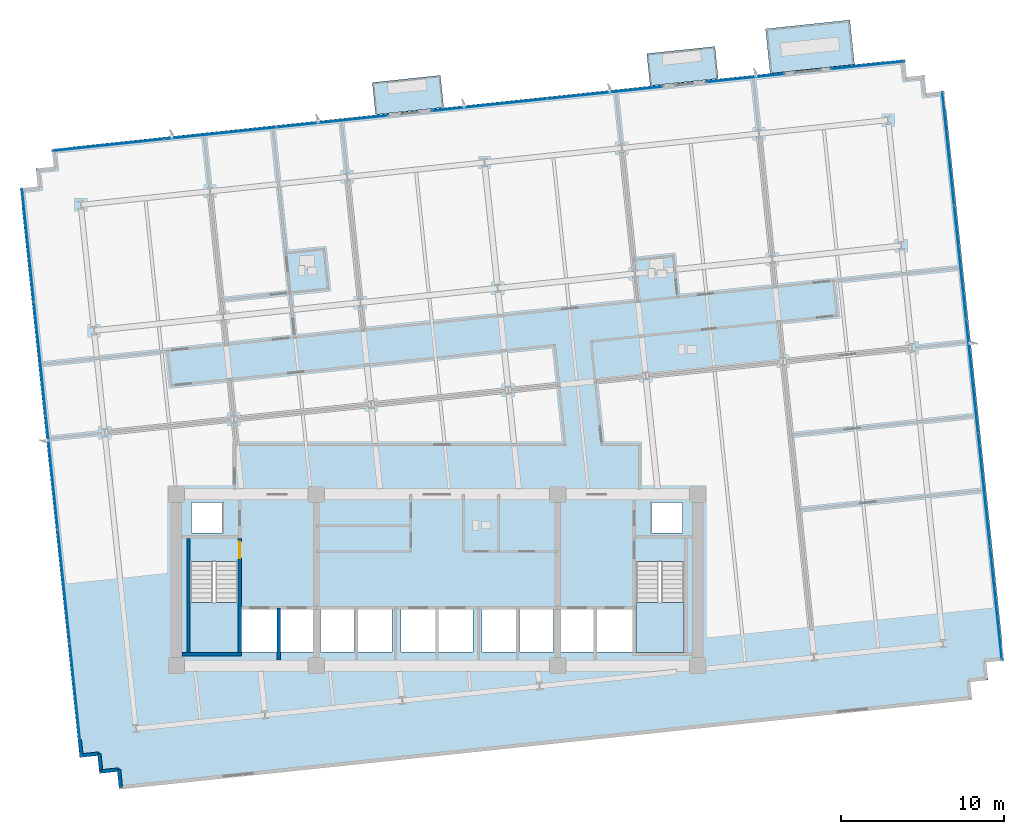
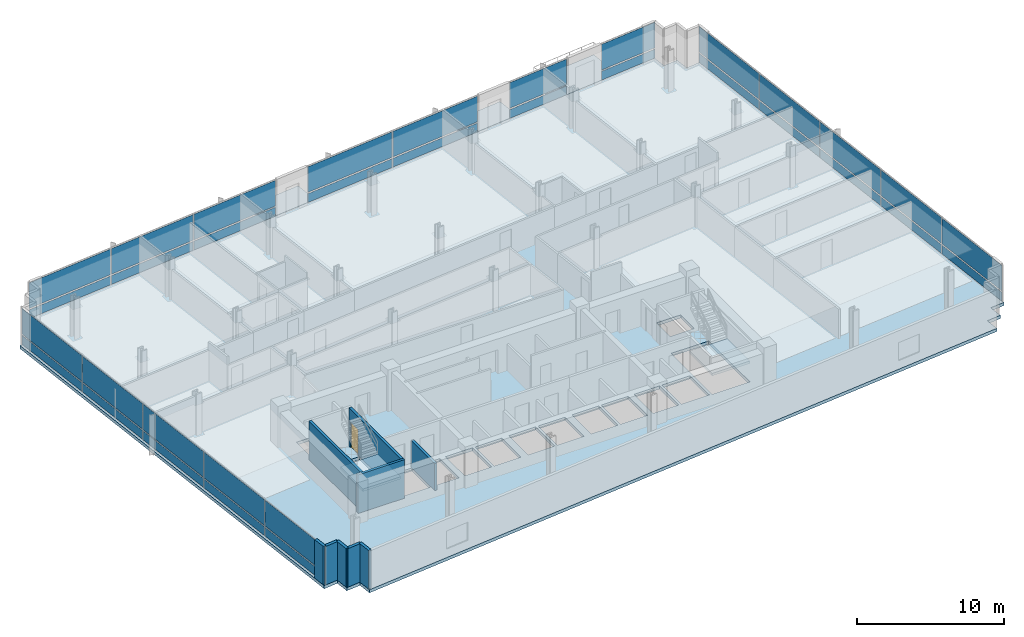
# One storey, part 12 of 21: 34 plates, 9 walls, 6 slabs, 1 door, 1 opening, 8 elements without a shape of their own.
"""IFC4 building model written with IfcOpenShell, lengths in metres."""

from ifc_helpers import new_model, si_unit, direction, frame, frame_2d, origin, origin_2d, place, context, subcontext, project, spatial, polyline, rectangle, outline, extrude, material, layer, layer_set, type_object, element, fill, aggregate, save


model = new_model("IFC4")

# Units and contexts
model_context = context("Model", 3, precision=1e-05, world=origin(), true_north=direction((0.0, 1.0)))
body_context = subcontext(model_context, "Body", "Model", "MODEL_VIEW")
ifc_project = project(units=[si_unit("LENGTHUNIT", "METRE"), si_unit("AREAUNIT", "SQUARE_METRE"), si_unit("VOLUMEUNIT", "CUBIC_METRE"), si_unit("PLANEANGLEUNIT", "RADIAN"), si_unit("MASSUNIT", "GRAM", prefix="KILO")], contexts=[model_context])

# Site, building, storey
site_placement = place(None, origin())
site = spatial("IfcSite", under=ifc_project, at=site_placement, CompositionType="ELEMENT")
building_placement = place(site_placement, origin())
building = spatial("IfcBuilding", under=site, at=building_placement, Name="Solmavex Isthmus Hotel", CompositionType="ELEMENT")
storey_placement = place(building_placement, frame((0.0, 0.0, 106.35009765625)))
storey = spatial("IfcBuildingStorey", under=building, at=storey_placement, Name="L28", CompositionType="ELEMENT", Elevation=106.35009765625)

# Curtain wall, plates
ifc_material_1 = material(Name="Aluminium alloy 6063-T6", Category="aluminium")
curtain_wall_type = type_object("IfcCurtainWallType", Name="CW-SYS-06", PredefinedType="NOTDEFINED", material=ifc_material_1)
curtain_wall_1_placement = place(storey_placement, origin())
curtain_wall_1 = element("IfcCurtainWall", 1, at=curtain_wall_1_placement, inside=storey, type_object=curtain_wall_type, Name="Stick Curtain Wall CWL-L28-N1", PredefinedType="NOTDEFINED")
ifc_material_2 = material(Name="Clear low-E laminated glass", Category="glass")
ifc_layer_1 = layer(ifc_material_2, 0.028076171875)
ifc_layer_set_1 = layer_set([ifc_layer_1], Name="Clear low-E laminated glass")
plate_type = type_object("IfcPlateType", Name="CW-SYS-06-PNL", PredefinedType="CURTAIN_PANEL", material=ifc_layer_set_1)
plate_1_placement = place(storey_placement, frame((-20.150634765625, 18.936767578125, 0.114990234375), z_axis=(0.0, 0.0, 1.0), x_axis=(0.994521910366, 0.10452832057, 0.0)))
plate_1 = element("IfcPlate", 2, at=plate_1_placement, type_object=plate_type, Name="CW-06 panel 1.1", PredefinedType="CURTAIN_PANEL", context=body_context, shape_type="SweptSolid", body=[
    extrude(rectangle(XDim=6.832275390625, YDim=0.028076171875, at=origin_2d()), origin(), (0.0, 0.0, 1.0), 0.7275390625),
])
plate_2_placement = place(storey_placement, frame((-20.150634765625, 18.936767578125, 0.95751953125), z_axis=(0.0, 0.0, 1.0), x_axis=(0.994521910366, 0.10452832057, 0.0)))
plate_2 = element("IfcPlate", 3, at=plate_2_placement, type_object=plate_type, Name="CW-06 panel 1.2", PredefinedType="CURTAIN_PANEL", context=body_context, shape_type="SweptSolid", body=[
    extrude(rectangle(XDim=6.832275390625, YDim=0.028076171875, at=origin_2d()), origin(), (0.0, 0.0, 1.0), 2.117431640625),
])
plate_3_placement = place(storey_placement, frame((-13.28125, 19.65869140625, 0.114990234375), z_axis=(0.0, 0.0, 1.0), x_axis=(0.994521910366, 0.10452832057, 0.0)))
plate_3 = element("IfcPlate", 4, at=plate_3_placement, type_object=plate_type, Name="CW-06 panel 2.1", PredefinedType="CURTAIN_PANEL", context=body_context, shape_type="SweptSolid", body=[
    extrude(rectangle(XDim=6.8623046875, YDim=0.028076171875, at=origin_2d()), origin(), (0.0, 0.0, 1.0), 0.7275390625),
])
plate_4_placement = place(storey_placement, frame((-13.28125, 19.65869140625, 0.95751953125), z_axis=(0.0, 0.0, 1.0), x_axis=(0.994521910366, 0.10452832057, 0.0)))
plate_4 = element("IfcPlate", 5, at=plate_4_placement, type_object=plate_type, Name="CW-06 panel 2.2", PredefinedType="CURTAIN_PANEL", context=body_context, shape_type="SweptSolid", body=[
    extrude(rectangle(XDim=6.8623046875, YDim=0.028076171875, at=origin_2d()), origin(), (0.0, 0.0, 1.0), 2.117431640625),
])
plate_5_placement = place(storey_placement, frame((-6.41162109375, 20.380859375, 0.114990234375), z_axis=(0.0, 0.0, 1.0), x_axis=(0.994521910366, 0.10452832057, 0.0)))
plate_5 = element("IfcPlate", 6, at=plate_5_placement, type_object=plate_type, Name="CW-06 panel 3.1", PredefinedType="CURTAIN_PANEL", context=body_context, shape_type="SweptSolid", body=[
    extrude(rectangle(XDim=6.832275390625, YDim=0.028076171875, at=origin_2d()), origin(), (0.0, 0.0, 1.0), 0.7275390625),
])
plate_6_placement = place(storey_placement, frame((-6.41162109375, 20.380859375, 0.95751953125), z_axis=(0.0, 0.0, 1.0), x_axis=(0.994521910366, 0.10452832057, 0.0)))
plate_6 = element("IfcPlate", 7, at=plate_6_placement, type_object=plate_type, Name="CW-06 panel 3.2", PredefinedType="CURTAIN_PANEL", context=body_context, shape_type="SweptSolid", body=[
    extrude(rectangle(XDim=6.832275390625, YDim=0.028076171875, at=origin_2d()), origin(), (0.0, 0.0, 1.0), 2.117431640625),
])
aggregate(curtain_wall_1, [plate_1, plate_2, plate_3, plate_4, plate_5, plate_6])

curtain_wall_2_placement = place(storey_placement, origin())
curtain_wall_2 = element("IfcCurtainWall", 8, at=curtain_wall_2_placement, inside=storey, type_object=curtain_wall_type, Name="Stick Curtain Wall CWL-L28-N2", PredefinedType="NOTDEFINED")
plate_7_placement = place(storey_placement, frame((3.20947265625, 21.39208984375, 0.114990234375), z_axis=(0.0, 0.0, 1.0), x_axis=(0.994521838546, 0.10452900389, 0.0)))
plate_7 = element("IfcPlate", 9, at=plate_7_placement, type_object=plate_type, Name="CW-06 panel 1.1", PredefinedType="CURTAIN_PANEL", context=body_context, shape_type="SweptSolid", body=[
    extrude(rectangle(XDim=7.075927734375, YDim=0.028076171875, at=origin_2d()), origin(), (0.0, 0.0, 1.0), 0.7275390625),
])
plate_8_placement = place(storey_placement, frame((3.20947265625, 21.39208984375, 0.95751953125), z_axis=(0.0, 0.0, 1.0), x_axis=(0.994521838546, 0.10452900389, 0.0)))
plate_8 = element("IfcPlate", 10, at=plate_8_placement, type_object=plate_type, Name="CW-06 panel 1.2", PredefinedType="CURTAIN_PANEL", context=body_context, shape_type="SweptSolid", body=[
    extrude(rectangle(XDim=7.075927734375, YDim=0.028076171875, at=origin_2d()), origin(), (0.0, 0.0, 1.0), 2.117431640625),
])
plate_9_placement = place(storey_placement, frame((10.306396484375, 22.137939453125, 0.114990234375), z_axis=(0.0, 0.0, 1.0), x_axis=(0.994521838546, 0.10452900389, 0.0)))
plate_9 = element("IfcPlate", 11, at=plate_9_placement, type_object=plate_type, Name="CW-06 panel 2.1", PredefinedType="CURTAIN_PANEL", context=body_context, shape_type="SweptSolid", body=[
    extrude(rectangle(XDim=7.075927734375, YDim=0.028076171875, at=origin_2d()), origin(), (0.0, 0.0, 1.0), 0.7275390625),
])
plate_10_placement = place(storey_placement, frame((10.306396484375, 22.137939453125, 0.95751953125), z_axis=(0.0, 0.0, 1.0), x_axis=(0.994521838546, 0.10452900389, 0.0)))
plate_10 = element("IfcPlate", 12, at=plate_10_placement, type_object=plate_type, Name="CW-06 panel 2.2", PredefinedType="CURTAIN_PANEL", context=body_context, shape_type="SweptSolid", body=[
    extrude(rectangle(XDim=7.075927734375, YDim=0.028076171875, at=origin_2d()), origin(), (0.0, 0.0, 1.0), 2.117431640625),
])
aggregate(curtain_wall_2, [plate_7, plate_8, plate_9, plate_10])

curtain_wall_3_placement = place(storey_placement, origin())
curtain_wall_3 = element("IfcCurtainWall", 13, at=curtain_wall_3_placement, inside=storey, type_object=curtain_wall_type, Name="Stick Curtain Wall CWL-L28-N3", PredefinedType="NOTDEFINED")
plate_11_placement = place(storey_placement, frame((18.907470703125, 23.0419921875, 0.114990234375), z_axis=(0.0, 0.0, 1.0), x_axis=(0.994521976147, 0.104527694704, 0.0)))
plate_11 = element("IfcPlate", 14, at=plate_11_placement, type_object=plate_type, Name="CW-06 panel 1.1", PredefinedType="CURTAIN_PANEL", context=body_context, shape_type="SweptSolid", body=[
    extrude(rectangle(XDim=4.781005859375, YDim=0.028076171875, at=origin_2d()), origin(), (0.0, 0.0, 1.0), 0.7275390625),
])
plate_12_placement = place(storey_placement, frame((18.907470703125, 23.0419921875, 0.95751953125), z_axis=(0.0, 0.0, 1.0), x_axis=(0.994521976147, 0.104527694704, 0.0)))
plate_12 = element("IfcPlate", 15, at=plate_12_placement, type_object=plate_type, Name="CW-06 panel 1.2", PredefinedType="CURTAIN_PANEL", context=body_context, shape_type="SweptSolid", body=[
    extrude(rectangle(XDim=4.781005859375, YDim=0.028076171875, at=origin_2d()), origin(), (0.0, 0.0, 1.0), 2.117431640625),
])
aggregate(curtain_wall_3, [plate_11, plate_12])

curtain_wall_4_placement = place(storey_placement, origin())
curtain_wall_4 = element("IfcCurtainWall", 16, at=curtain_wall_4_placement, inside=storey, type_object=curtain_wall_type, Name="Stick Curtain Wall CWL-L28-N4", PredefinedType="NOTDEFINED")
plate_13_placement = place(storey_placement, frame((26.416748046875, 23.8310546875, 0.114990234375), z_axis=(0.0, 0.0, 1.0), x_axis=(0.994521914701, 0.104528279328, 0.0)))
plate_13 = element("IfcPlate", 17, at=plate_13_placement, type_object=plate_type, Name="CW-06 panel 1.1", PredefinedType="CURTAIN_PANEL", context=body_context, shape_type="SweptSolid", body=[
    extrude(rectangle(XDim=4.47998046875, YDim=0.028076171875, at=origin_2d()), origin(), (0.0, 0.0, 1.0), 0.7275390625),
])
plate_14_placement = place(storey_placement, frame((26.416748046875, 23.8310546875, 0.95751953125), z_axis=(0.0, 0.0, 1.0), x_axis=(0.994521914701, 0.104528279328, 0.0)))
plate_14 = element("IfcPlate", 18, at=plate_14_placement, type_object=plate_type, Name="CW-06 panel 1.2", PredefinedType="CURTAIN_PANEL", context=body_context, shape_type="SweptSolid", body=[
    extrude(rectangle(XDim=4.47998046875, YDim=0.028076171875, at=origin_2d()), origin(), (0.0, 0.0, 1.0), 2.117431640625),
])
aggregate(curtain_wall_4, [plate_13, plate_14])

curtain_wall_5_placement = place(storey_placement, origin())
curtain_wall_5 = element("IfcCurtainWall", 19, at=curtain_wall_5_placement, inside=storey, type_object=curtain_wall_type, Name="Stick Curtain Wall CWL-L28-W1", PredefinedType="NOTDEFINED")
plate_15_placement = place(storey_placement, frame((-22.158447265625, -15.11474609375, 0.114990234375), z_axis=(0.0, 0.0, 1.0), x_axis=(-0.104528485381, 0.994521893044, 0.0)))
plate_15 = element("IfcPlate", 20, at=plate_15_placement, type_object=plate_type, Name="CW-06 panel 1.1", PredefinedType="CURTAIN_PANEL", context=body_context, shape_type="SweptSolid", body=[
    extrude(rectangle(XDim=6.929931640625, YDim=0.028076171875, at=origin_2d()), origin(), (0.0, 0.0, 1.0), 0.7275390625),
])
plate_16_placement = place(storey_placement, frame((-22.158447265625, -15.11474609375, 0.95751953125), z_axis=(0.0, 0.0, 1.0), x_axis=(-0.104528485381, 0.994521893044, 0.0)))
plate_16 = element("IfcPlate", 21, at=plate_16_placement, type_object=plate_type, Name="CW-06 panel 1.2", PredefinedType="CURTAIN_PANEL", context=body_context, shape_type="SweptSolid", body=[
    extrude(rectangle(XDim=6.929931640625, YDim=0.028076171875, at=origin_2d()), origin(), (0.0, 0.0, 1.0), 2.117431640625),
])
plate_17_placement = place(storey_placement, frame((-22.890625, -8.14794921875, 0.114990234375), z_axis=(0.0, 0.0, 1.0), x_axis=(-0.104528485381, 0.994521893044, 0.0)))
plate_17 = element("IfcPlate", 22, at=plate_17_placement, type_object=plate_type, Name="CW-06 panel 2.1", PredefinedType="CURTAIN_PANEL", context=body_context, shape_type="SweptSolid", body=[
    extrude(rectangle(XDim=6.9599609375, YDim=0.028076171875, at=origin_2d()), origin(), (0.0, 0.0, 1.0), 0.7275390625),
])
plate_18_placement = place(storey_placement, frame((-22.890625, -8.14794921875, 0.95751953125), z_axis=(0.0, 0.0, 1.0), x_axis=(-0.104528485381, 0.994521893044, 0.0)))
plate_18 = element("IfcPlate", 23, at=plate_18_placement, type_object=plate_type, Name="CW-06 panel 2.2", PredefinedType="CURTAIN_PANEL", context=body_context, shape_type="SweptSolid", body=[
    extrude(rectangle(XDim=6.9599609375, YDim=0.028076171875, at=origin_2d()), origin(), (0.0, 0.0, 1.0), 2.117431640625),
])
plate_19_placement = place(storey_placement, frame((-23.62451171875, -1.16650390625, 0.114990234375), z_axis=(0.0, 0.0, 1.0), x_axis=(-0.104528485381, 0.994521893044, 0.0)))
plate_19 = element("IfcPlate", 24, at=plate_19_placement, type_object=plate_type, Name="CW-06 panel 3.1", PredefinedType="CURTAIN_PANEL", context=body_context, shape_type="SweptSolid", body=[
    extrude(rectangle(XDim=6.9599609375, YDim=0.028076171875, at=origin_2d()), origin(), (0.0, 0.0, 1.0), 0.7275390625),
])
plate_20_placement = place(storey_placement, frame((-23.62451171875, -1.16650390625, 0.95751953125), z_axis=(0.0, 0.0, 1.0), x_axis=(-0.104528485381, 0.994521893044, 0.0)))
plate_20 = element("IfcPlate", 25, at=plate_20_placement, type_object=plate_type, Name="CW-06 panel 3.2", PredefinedType="CURTAIN_PANEL", context=body_context, shape_type="SweptSolid", body=[
    extrude(rectangle(XDim=6.9599609375, YDim=0.028076171875, at=origin_2d()), origin(), (0.0, 0.0, 1.0), 2.117431640625),
])
plate_21_placement = place(storey_placement, frame((-24.3583984375, 5.81494140625, 0.114990234375), z_axis=(0.0, 0.0, 1.0), x_axis=(-0.104528485381, 0.994521893044, 0.0)))
plate_21 = element("IfcPlate", 26, at=plate_21_placement, type_object=plate_type, Name="CW-06 panel 4.1", PredefinedType="CURTAIN_PANEL", context=body_context, shape_type="SweptSolid", body=[
    extrude(rectangle(XDim=6.9599609375, YDim=0.028076171875, at=origin_2d()), origin(), (0.0, 0.0, 1.0), 0.7275390625),
])
plate_22_placement = place(storey_placement, frame((-24.3583984375, 5.81494140625, 0.95751953125), z_axis=(0.0, 0.0, 1.0), x_axis=(-0.104528485381, 0.994521893044, 0.0)))
plate_22 = element("IfcPlate", 27, at=plate_22_placement, type_object=plate_type, Name="CW-06 panel 4.2", PredefinedType="CURTAIN_PANEL", context=body_context, shape_type="SweptSolid", body=[
    extrude(rectangle(XDim=6.9599609375, YDim=0.028076171875, at=origin_2d()), origin(), (0.0, 0.0, 1.0), 2.117431640625),
])
plate_23_placement = place(storey_placement, frame((-25.090576171875, 12.78173828125, 0.114990234375), z_axis=(0.0, 0.0, 1.0), x_axis=(-0.104528485381, 0.994521893044, 0.0)))
plate_23 = element("IfcPlate", 28, at=plate_23_placement, type_object=plate_type, Name="CW-06 panel 5.1", PredefinedType="CURTAIN_PANEL", context=body_context, shape_type="SweptSolid", body=[
    extrude(rectangle(XDim=6.929931640625, YDim=0.028076171875, at=origin_2d()), origin(), (0.0, 0.0, 1.0), 0.7275390625),
])
plate_24_placement = place(storey_placement, frame((-25.090576171875, 12.78173828125, 0.95751953125), z_axis=(0.0, 0.0, 1.0), x_axis=(-0.104528485381, 0.994521893044, 0.0)))
plate_24 = element("IfcPlate", 29, at=plate_24_placement, type_object=plate_type, Name="CW-06 panel 5.2", PredefinedType="CURTAIN_PANEL", context=body_context, shape_type="SweptSolid", body=[
    extrude(rectangle(XDim=6.929931640625, YDim=0.028076171875, at=origin_2d()), origin(), (0.0, 0.0, 1.0), 2.117431640625),
])
aggregate(curtain_wall_5, [plate_15, plate_16, plate_17, plate_18, plate_19, plate_20, plate_21, plate_22, plate_23, plate_24])

curtain_wall_6_placement = place(storey_placement, origin())
curtain_wall_6 = element("IfcCurtainWall", 30, at=curtain_wall_6_placement, inside=storey, type_object=curtain_wall_type, Name="Stick Curtain Wall CWL-L28-E1", PredefinedType="NOTDEFINED")
plate_25_placement = place(storey_placement, frame((34.29052734375, -9.181640625, 0.114990234375), z_axis=(0.0, 0.0, 1.0), x_axis=(-0.104528485381, 0.994521893044, 0.0)))
plate_25 = element("IfcPlate", 31, at=plate_25_placement, type_object=plate_type, Name="CW-06 panel 1.1", PredefinedType="CURTAIN_PANEL", context=body_context, shape_type="SweptSolid", body=[
    extrude(rectangle(XDim=6.929931640625, YDim=0.028076171875, at=origin_2d()), origin(), (0.0, 0.0, 1.0), 0.7275390625),
])
plate_26_placement = place(storey_placement, frame((34.29052734375, -9.181640625, 0.95751953125), z_axis=(0.0, 0.0, 1.0), x_axis=(-0.104528485381, 0.994521893044, 0.0)))
plate_26 = element("IfcPlate", 32, at=plate_26_placement, type_object=plate_type, Name="CW-06 panel 1.2", PredefinedType="CURTAIN_PANEL", context=body_context, shape_type="SweptSolid", body=[
    extrude(rectangle(XDim=6.929931640625, YDim=0.028076171875, at=origin_2d()), origin(), (0.0, 0.0, 1.0), 2.117431640625),
])
plate_27_placement = place(storey_placement, frame((33.558349609375, -2.215087890625, 0.114990234375), z_axis=(0.0, 0.0, 1.0), x_axis=(-0.104528485381, 0.994521893044, 0.0)))
plate_27 = element("IfcPlate", 33, at=plate_27_placement, type_object=plate_type, Name="CW-06 panel 2.1", PredefinedType="CURTAIN_PANEL", context=body_context, shape_type="SweptSolid", body=[
    extrude(rectangle(XDim=6.9599609375, YDim=0.028076171875, at=origin_2d()), origin(), (0.0, 0.0, 1.0), 0.7275390625),
])
plate_28_placement = place(storey_placement, frame((33.558349609375, -2.215087890625, 0.95751953125), z_axis=(0.0, 0.0, 1.0), x_axis=(-0.104528485381, 0.994521893044, 0.0)))
plate_28 = element("IfcPlate", 34, at=plate_28_placement, type_object=plate_type, Name="CW-06 panel 2.2", PredefinedType="CURTAIN_PANEL", context=body_context, shape_type="SweptSolid", body=[
    extrude(rectangle(XDim=6.9599609375, YDim=0.028076171875, at=origin_2d()), origin(), (0.0, 0.0, 1.0), 2.117431640625),
])
plate_29_placement = place(storey_placement, frame((32.824462890625, 4.7666015625, 0.114990234375), z_axis=(0.0, 0.0, 1.0), x_axis=(-0.104528485381, 0.994521893044, 0.0)))
plate_29 = element("IfcPlate", 35, at=plate_29_placement, type_object=plate_type, Name="CW-06 panel 3.1", PredefinedType="CURTAIN_PANEL", context=body_context, shape_type="SweptSolid", body=[
    extrude(rectangle(XDim=6.9599609375, YDim=0.028076171875, at=origin_2d()), origin(), (0.0, 0.0, 1.0), 0.7275390625),
])
plate_30_placement = place(storey_placement, frame((32.824462890625, 4.7666015625, 0.95751953125), z_axis=(0.0, 0.0, 1.0), x_axis=(-0.104528485381, 0.994521893044, 0.0)))
plate_30 = element("IfcPlate", 36, at=plate_30_placement, type_object=plate_type, Name="CW-06 panel 3.2", PredefinedType="CURTAIN_PANEL", context=body_context, shape_type="SweptSolid", body=[
    extrude(rectangle(XDim=6.9599609375, YDim=0.028076171875, at=origin_2d()), origin(), (0.0, 0.0, 1.0), 2.117431640625),
])
plate_31_placement = place(storey_placement, frame((32.0908203125, 11.748046875, 0.114990234375), z_axis=(0.0, 0.0, 1.0), x_axis=(-0.104528485381, 0.994521893044, 0.0)))
plate_31 = element("IfcPlate", 37, at=plate_31_placement, type_object=plate_type, Name="CW-06 panel 4.1", PredefinedType="CURTAIN_PANEL", context=body_context, shape_type="SweptSolid", body=[
    extrude(rectangle(XDim=6.9599609375, YDim=0.028076171875, at=origin_2d()), origin(), (0.0, 0.0, 1.0), 0.7275390625),
])
plate_32_placement = place(storey_placement, frame((32.0908203125, 11.748046875, 0.95751953125), z_axis=(0.0, 0.0, 1.0), x_axis=(-0.104528485381, 0.994521893044, 0.0)))
plate_32 = element("IfcPlate", 38, at=plate_32_placement, type_object=plate_type, Name="CW-06 panel 4.2", PredefinedType="CURTAIN_PANEL", context=body_context, shape_type="SweptSolid", body=[
    extrude(rectangle(XDim=6.9599609375, YDim=0.028076171875, at=origin_2d()), origin(), (0.0, 0.0, 1.0), 2.117431640625),
])
plate_33_placement = place(storey_placement, frame((31.358642578125, 18.714599609375, 0.114990234375), z_axis=(0.0, 0.0, 1.0), x_axis=(-0.104528485381, 0.994521893044, 0.0)))
plate_33 = element("IfcPlate", 39, at=plate_33_placement, type_object=plate_type, Name="CW-06 panel 5.1", PredefinedType="CURTAIN_PANEL", context=body_context, shape_type="SweptSolid", body=[
    extrude(rectangle(XDim=6.929931640625, YDim=0.028076171875, at=origin_2d()), origin(), (0.0, 0.0, 1.0), 0.7275390625),
])
plate_34_placement = place(storey_placement, frame((31.358642578125, 18.714599609375, 0.95751953125), z_axis=(0.0, 0.0, 1.0), x_axis=(-0.104528485381, 0.994521893044, 0.0)))
plate_34 = element("IfcPlate", 40, at=plate_34_placement, type_object=plate_type, Name="CW-06 panel 5.2", PredefinedType="CURTAIN_PANEL", context=body_context, shape_type="SweptSolid", body=[
    extrude(rectangle(XDim=6.929931640625, YDim=0.028076171875, at=origin_2d()), origin(), (0.0, 0.0, 1.0), 2.117431640625),
])
aggregate(curtain_wall_6, [plate_25, plate_26, plate_27, plate_28, plate_29, plate_30, plate_31, plate_32, plate_33, plate_34])

# Slabs
ifc_material_3 = material(Name="Concrete C40/50", Category="concrete")
ifc_layer_2 = layer(ifc_material_3, 0.239990234375)
ifc_layer_set_2 = layer_set([ifc_layer_2], Name="Concrete C40/50")
slab_type_1 = type_object("IfcSlabType", Name="SLAB-BALC-240", PredefinedType="FLOOR", material=ifc_layer_set_2)
slab_1_placement = place(storey_placement, frame((0.0, 0.0, -0.239990234375)))
element("IfcSlab", 41, at=slab_1_placement, inside=storey, type_object=slab_type_1, Name="Tree-Planter Balcony Slab L28-B1", PredefinedType="FLOOR", context=body_context, shape_type="SweptSolid", body=[
    extrude(outline(polyline([(-3.764404296875, 20.794677734375), (0.41259765625, 21.23388671875), (0.205078125, 23.2080078125), (-3.9716796875, 22.768798828125), (-3.764404296875, 20.794677734375)])), origin(), (0.0, 0.0, 1.0), 0.239990234375),
])
slab_2_placement = place(storey_placement, frame((0.0, 0.0, -0.239990234375)))
element("IfcSlab", 42, at=slab_2_placement, inside=storey, type_object=slab_type_1, Name="Tree-Planter Balcony Slab L28-B2", PredefinedType="FLOOR", context=body_context, shape_type="SweptSolid", body=[
    extrude(outline(polyline([(13.074951171875, 22.564697265625), (17.251953125, 23.003662109375), (17.04443359375, 24.977783203125), (12.867431640625, 24.538818359375), (13.074951171875, 22.564697265625)])), origin(), (0.0, 0.0, 1.0), 0.239990234375),
])
ifc_layer_3 = layer(ifc_material_3, 0.260009765625)
ifc_layer_set_3 = layer_set([ifc_layer_3], Name="Concrete C40/50")
slab_type_2 = type_object("IfcSlabType", Name="SLAB-SG-260", PredefinedType="FLOOR", material=ifc_layer_set_3)
slab_3_placement = place(storey_placement, frame((0.0, 0.0, -0.260009765625)))
element("IfcSlab", 43, at=slab_3_placement, inside=storey, type_object=slab_type_2, Name="Sky Garden Terrace Slab SG2 L28", PredefinedType="FLOOR", context=body_context, shape_type="SweptSolid", body=[
    extrude(outline(polyline([(20.436767578125, 23.32421875), (25.6083984375, 23.867919921875), (25.321044921875, 26.601806640625), (20.1494140625, 26.058349609375), (20.436767578125, 23.32421875)])), origin(), (0.0, 0.0, 1.0), 0.260009765625),
])
ifc_layer_4 = layer(ifc_material_3, 0.260009765625)
ifc_layer_set_4 = layer_set([ifc_layer_4], Name="Concrete C40/50")
slab_type_3 = type_object("IfcSlabType", Name="SLAB-TYP-260", PredefinedType="FLOOR", material=ifc_layer_set_4)
slab_4_placement = place(storey_placement, frame((0.0, 0.0, -0.260009765625)))
element("IfcSlab", 44, at=slab_4_placement, inside=storey, type_object=slab_type_3, Name="Tower Structural Floor Slab L28", PredefinedType="FLOOR", context=body_context, shape_type="SweptSolid", body=[
    extrude(outline(polyline([(-18.3974609375, -20.475830078125), (31.726318359375, -15.207763671875), (32.8203125, -15.0927734375), (32.705322265625, -13.998779296875), (33.79931640625, -13.8837890625), (33.684326171875, -12.789794921875), (34.7783203125, -12.6748046875), (34.663330078125, -11.580810546875), (31.224365234375, 21.138916015625), (31.109375, 22.23291015625), (30.015380859375, 22.117919921875), (29.900390625, 23.2119140625), (28.806396484375, 23.096923828125), (28.69140625, 24.19091796875), (27.597412109375, 24.075927734375), (-22.5263671875, 18.8076171875), (-23.620361328125, 18.692626953125), (-23.50537109375, 17.5986328125), (-24.599365234375, 17.483642578125), (-24.484375, 16.389892578125), (-25.578369140625, 16.27490234375), (-25.46337890625, 15.180908203125), (-22.0244140625, -17.5390625), (-21.909423828125, -18.6328125), (-20.8154296875, -18.517822265625), (-20.700439453125, -19.61181640625), (-19.6064453125, -19.496826171875), (-19.491455078125, -20.5908203125), (-18.3974609375, -20.475830078125)]), holes=[polyline([(-15.14990234375, -6.617919921875), (-15.14990234375, -12.199951171875), (-12.199951171875, -12.199951171875), (-12.199951171875, -6.617919921875), (-15.14990234375, -6.617919921875)]), polyline([(12.199951171875, -6.617919921875), (12.199951171875, -12.199951171875), (15.14990234375, -12.199951171875), (15.14990234375, -6.617919921875), (12.199951171875, -6.617919921875)]), polyline([(-12.0, -12.14990234375), (-9.800048828125, -12.14990234375), (-9.800048828125, -9.550048828125), (-12.0, -9.550048828125), (-12.0, -12.14990234375)]), polyline([(9.800048828125, -12.14990234375), (12.0, -12.14990234375), (12.0, -9.550048828125), (9.800048828125, -9.550048828125), (9.800048828125, -12.14990234375)]), polyline([(-9.60009765625, -12.14990234375), (-7.60009765625, -12.14990234375), (-7.60009765625, -9.550048828125), (-9.60009765625, -9.550048828125), (-9.60009765625, -12.14990234375)]), polyline([(7.60009765625, -12.14990234375), (9.60009765625, -12.14990234375), (9.60009765625, -9.550048828125), (7.60009765625, -9.550048828125), (7.60009765625, -12.14990234375)]), polyline([(-7.14990234375, -12.14990234375), (-5.050048828125, -12.14990234375), (-5.050048828125, -9.550048828125), (-7.14990234375, -9.550048828125), (-7.14990234375, -12.14990234375)]), polyline([(-4.85009765625, -12.14990234375), (-2.75, -12.14990234375), (-2.75, -9.550048828125), (-4.85009765625, -9.550048828125), (-4.85009765625, -12.14990234375)]), polyline([(-2.199951171875, -12.14990234375), (-0.10009765625, -12.14990234375), (-0.10009765625, -9.550048828125), (-2.199951171875, -9.550048828125), (-2.199951171875, -12.14990234375)]), polyline([(0.10009765625, -12.14990234375), (2.199951171875, -12.14990234375), (2.199951171875, -9.550048828125), (0.10009765625, -9.550048828125), (0.10009765625, -12.14990234375)]), polyline([(2.75, -12.14990234375), (4.85009765625, -12.14990234375), (4.85009765625, -9.550048828125), (2.75, -9.550048828125), (2.75, -12.14990234375)]), polyline([(5.050048828125, -12.14990234375), (7.14990234375, -12.14990234375), (7.14990234375, -9.550048828125), (5.050048828125, -9.550048828125), (5.050048828125, -12.14990234375)]), polyline([(-15.050048828125, -4.85009765625), (-13.14990234375, -4.85009765625), (-13.14990234375, -3.0), (-15.050048828125, -3.0), (-15.050048828125, -4.85009765625)]), polyline([(13.14990234375, -4.85009765625), (15.050048828125, -4.85009765625), (15.050048828125, -3.0), (13.14990234375, -3.0), (13.14990234375, -4.85009765625)])]), origin(), (0.0, 0.0, 1.0), 0.260009765625),
])

# Stair, slab
stair_type_1 = type_object("IfcStairType", Name="STR-ST-1", PredefinedType="HALF_TURN_STAIR", material=ifc_material_3)
stair_1_placement = place(storey_placement, origin())
stair_1 = element("IfcStair", 45, at=stair_1_placement, inside=storey, type_object=stair_type_1, Name="L28 Protected Exit Stair ST-1", PredefinedType="HALF_TURN_STAIR")
ifc_layer_5 = layer(ifc_material_3, 0.219970703125)
ifc_layer_set_5 = layer_set([ifc_layer_5], Name="Concrete C40/50")
slab_type_4 = type_object("IfcSlabType", Name="SLD-ST-1", PredefinedType="LANDING", material=ifc_layer_set_5)
slab_5_placement = place(storey_placement, frame((0.0, 0.0, 1.52490234375)))
slab_5 = element("IfcSlab", 46, at=slab_5_placement, type_object=slab_type_4, Name="ST-1 landing 1", PredefinedType="LANDING", context=body_context, shape_type="SweptSolid", body=[
    extrude(outline(polyline([(-15.14990234375, -9.1201171875), (-15.14990234375, -12.199951171875), (-12.199951171875, -12.199951171875), (-12.199951171875, -9.1201171875), (-15.14990234375, -9.1201171875)])), origin(), (0.0, 0.0, 1.0), 0.199951171875),
])
aggregate(stair_1, [slab_5])

stair_type_2 = type_object("IfcStairType", Name="STR-ST-2", PredefinedType="HALF_TURN_STAIR", material=ifc_material_3)
stair_2_placement = place(storey_placement, origin())
stair_2 = element("IfcStair", 47, at=stair_2_placement, inside=storey, type_object=stair_type_2, Name="L28 Protected Exit Stair ST-2", PredefinedType="HALF_TURN_STAIR")
ifc_layer_6 = layer(ifc_material_3, 0.219970703125)
ifc_layer_set_6 = layer_set([ifc_layer_6], Name="Concrete C40/50")
slab_type_5 = type_object("IfcSlabType", Name="SLD-ST-2", PredefinedType="LANDING", material=ifc_layer_set_6)
slab_6_placement = place(storey_placement, frame((0.0, 0.0, 1.52490234375)))
slab_6 = element("IfcSlab", 48, at=slab_6_placement, type_object=slab_type_5, Name="ST-2 landing 1", PredefinedType="LANDING", context=body_context, shape_type="SweptSolid", body=[
    extrude(outline(polyline([(12.199951171875, -9.1201171875), (12.199951171875, -12.199951171875), (15.14990234375, -12.199951171875), (15.14990234375, -9.1201171875), (12.199951171875, -9.1201171875)])), origin(), (0.0, 0.0, 1.0), 0.199951171875),
])
aggregate(stair_2, [slab_6])

# Walls
ifc_material_4 = material(Name="Precast Concrete C40/50", Category="concrete")
ifc_layer_7 = layer(ifc_material_4, 0.25)
ifc_layer_set_7 = layer_set([ifc_layer_7], Name="Precast Concrete C40/50")
wall_type_1 = type_object("IfcWallType", Name="EW-TWR-250", PredefinedType="STANDARD", material=ifc_layer_set_7)
for number, where, z_axis, x_axis, name in (
    (49, (-19.3935546875, -20.469970703125, 0.0), (0.0, 0.0, 1.0), (-0.104534592565, 0.994521251134, 0.0), "Serrated Corner Facade Panel L28-01"),
    (50, (-19.508544921875, -19.3759765625, 0.0), (0.0, 0.0, 1.0), (-0.994521251134, -0.104534592565, 0.0), "Serrated Corner Facade Panel L28-02"),
    (51, (-20.6025390625, -19.490966796875, 0.0), (0.0, 0.0, 1.0), (-0.104534592565, 0.994521251134, 0.0), "Serrated Corner Facade Panel L28-03"),
    (52, (-20.717529296875, -18.39697265625, 0.0), (0.0, 0.0, 1.0), (-0.994521251134, -0.104534592565, 0.0), "Serrated Corner Facade Panel L28-04"),
):
    element("IfcWall", number, at=place(storey_placement, frame(where, z_axis=z_axis, x_axis=x_axis)), inside=storey, type_object=wall_type_1, Name=name, PredefinedType="STANDARD", context=body_context, shape_type="SweptSolid", body=[
        extrude(rectangle(XDim=1.10009765625, YDim=0.219970703125, at=frame_2d((0.550048828125, 0.0))), origin(), (0.0, 0.0, 1.0), 3.18994140625),
    ])
wall_1_placement = place(storey_placement, frame((-21.8115234375, -18.511962890625, 0.0), z_axis=(0.0, 0.0, 1.0), x_axis=(-0.104556418955, 0.99451895671, 0.0)))
element("IfcWall", 53, at=wall_1_placement, inside=storey, type_object=wall_type_1, Name="Serrated Corner Facade Panel L28-05", PredefinedType="STANDARD", context=body_context, shape_type="SweptSolid", body=[
    extrude(rectangle(XDim=0.989990234375, YDim=0.219970703125, at=frame_2d((0.4951171875, 0.0))), origin(), (0.0, 0.0, 1.0), 3.18994140625),
])
ifc_layer_8 = layer(ifc_material_3, 0.199951171875)
ifc_layer_set_8 = layer_set([ifc_layer_8], Name="Concrete C40/50")
wall_type_2 = type_object("IfcWallType", Name="IW-SHAFT-200", PredefinedType="PARTITIONING", material=ifc_layer_set_8)
wall_2_placement = place(storey_placement, frame((-9.699951171875, -12.64990234375, 0.0), z_axis=(0.0, 0.0, 1.0), x_axis=(0.0, 1.0, 0.0)))
element("IfcWall", 54, at=wall_2_placement, inside=storey, type_object=wall_type_2, Name="Interior Partition Wall W-L28-FFLW-M", PredefinedType="PARTITIONING", context=body_context, shape_type="SweptSolid", body=[
    extrude(rectangle(XDim=3.199951171875, YDim=0.199951171875, at=frame_2d((1.60009765625, 0.0))), origin(), (0.0, 0.0, 1.0), 2.224853515625),
])
ifc_layer_9 = layer(ifc_material_3, 0.199951171875)
ifc_layer_set_9 = layer_set([ifc_layer_9], Name="Concrete C40/50")
wall_type_3 = type_object("IfcWallType", Name="WALL-SW-200", PredefinedType="SOLIDWALL", material=ifc_layer_set_9)
wall_3_placement = place(storey_placement, frame((-15.64990234375, -12.300048828125, 0.0), z_axis=(0.0, 0.0, 1.0), x_axis=(1.0, 0.0, 0.0)))
element("IfcWall", 55, at=wall_3_placement, inside=storey, type_object=wall_type_3, Name="Stairwell Structural Wall SW-L28-ST1-S", PredefinedType="SOLIDWALL", context=body_context, shape_type="SweptSolid", body=[
    extrude(rectangle(XDim=3.64990234375, YDim=0.199951171875, at=frame_2d((1.824951171875, 0.0))), origin(), (0.0, 0.0, 1.0), 3.18994140625),
])
wall_4_placement = place(storey_placement, frame((-15.25, -12.199951171875, 0.0), z_axis=(0.0, 0.0, 1.0), x_axis=(0.0, 1.0, 0.0)))
element("IfcWall", 56, at=wall_4_placement, inside=storey, type_object=wall_type_3, Name="Stairwell Structural Wall SW-L28-ST1-W", PredefinedType="SOLIDWALL", context=body_context, shape_type="SweptSolid", body=[
    extrude(rectangle(XDim=7.0, YDim=0.199951171875, at=frame_2d((3.5, 0.0))), origin(), (0.0, 0.0, 1.0), 3.18994140625),
])

# Wall, opening, door
wall_5_placement = place(storey_placement, frame((-12.10009765625, -12.199951171875, 0.0), z_axis=(0.0, 0.0, 1.0), x_axis=(0.0, 1.0, 0.0)))
wall_5 = element("IfcWall", 57, at=wall_5_placement, inside=storey, type_object=wall_type_3, Name="Stairwell Structural Wall SW-L28-ST1-E", PredefinedType="SOLIDWALL", context=body_context, shape_type="SweptSolid", body=[
    extrude(rectangle(XDim=7.0, YDim=0.199951171875, at=frame_2d((3.5, 0.0))), origin(), (0.0, 0.0, 1.0), 3.18994140625),
])
opening_placement = place(wall_5_placement, frame((5.800048828125, 0.0, 0.0)))
opening = element("IfcOpeningElement", 58, at=opening_placement, cuts=wall_5, Name="Opening ID-F100", PredefinedType="OPENING", context=body_context, shape_type="SweptSolid", body=[
    extrude(rectangle(XDim=1.0, YDim=2.10009765625, at=frame_2d((0.5, 1.050048828125))), frame((0.0, 0.10986328125, 0.0), z_axis=(0.0, -1.0, 0.0), x_axis=(1.0, 0.0, 0.0)), (0.0, 0.0, 1.0), 0.219970703125),
])
ifc_material_5 = material(Name="Steel ASTM A500 Grade C", Category="steel")
door_type = type_object("IfcDoorType", Name="IDR-FD90-1000", OperationType="NOTDEFINED", PredefinedType="DOOR", material=ifc_material_5)
door_placement = place(opening_placement, frame((1.0, 0.0, 0.0), z_axis=(0.0, 0.0, 1.0), x_axis=(-1.0, 0.0, 0.0)))
door = element("IfcDoor", 59, at=door_placement, inside=storey, type_object=door_type, Name="Stair ST-1 Fire Door L28", OperationType="SINGLE_SWING_LEFT", OverallHeight=2.10009765625, OverallWidth=1.0, PredefinedType="DOOR", context=body_context, shape_type="SweptSolid", body=[
    extrude(rectangle(XDim=1.0, YDim=2.10009765625, at=frame_2d((0.5, 1.050048828125))), frame((0.0, 0.02490234375, 0.0), z_axis=(0.0, -1.0, 0.0), x_axis=(1.0, 0.0, 0.0)), (0.0, 0.0, 1.0), 0.050048828125),
])
fill(opening, door)

save(model, "model.ifc")
